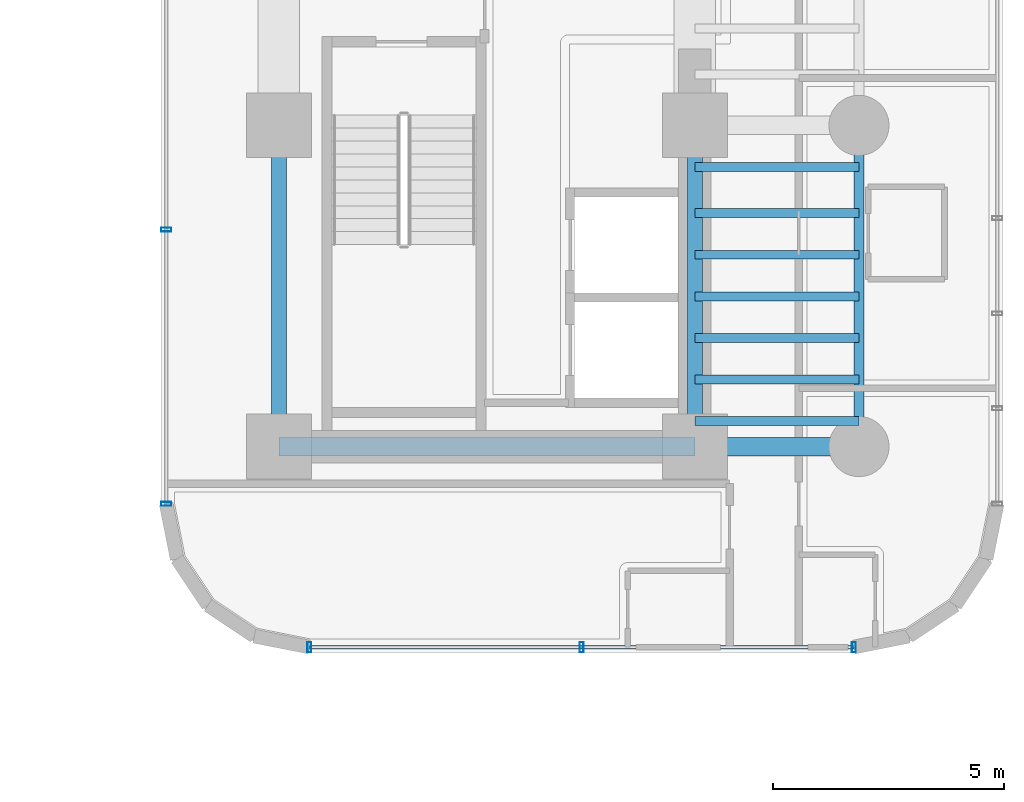
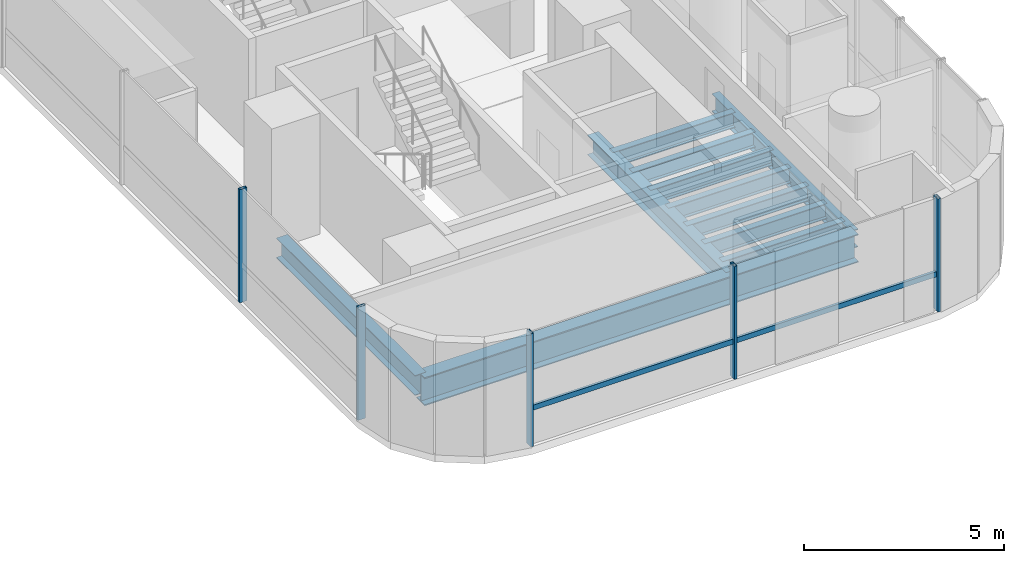
# One storey, part 13 of 42: 12 beams, 6 members, 2 elements without a shape of their own.
"""IFC4 building model written with IfcOpenShell, lengths in metres."""

from ifc_helpers import new_model, si_unit, direction, frame, origin, origin_2d, place, context, subcontext, project, spatial, hollow_rectangle, i_section, extrude, source, transform, mapped, material, material_profile, profile_set, type_object, element, aggregate, save


model = new_model("IFC4")

# Units and contexts
model_context = context("Model", 3, precision=1e-05, world=origin(), true_north=direction((0.0, 1.0)))
body_context = subcontext(model_context, "Body", "Model", "MODEL_VIEW")
ifc_project = project(units=[si_unit("LENGTHUNIT", "METRE"), si_unit("AREAUNIT", "SQUARE_METRE"), si_unit("VOLUMEUNIT", "CUBIC_METRE"), si_unit("PLANEANGLEUNIT", "RADIAN"), si_unit("MASSUNIT", "GRAM", prefix="KILO")], contexts=[model_context])

# Site, building, storey
site_placement = place(None, origin())
site = spatial("IfcSite", under=ifc_project, at=site_placement, CompositionType="ELEMENT")
building_placement = place(site_placement, origin())
building = spatial("IfcBuilding", under=site, at=building_placement, Name="Valdorenza Pilgrim Sanctuary Tower", CompositionType="ELEMENT")
storey_placement = place(building_placement, frame((0.0, 0.0, 29.699951171875)))
storey = spatial("IfcBuildingStorey", under=building, at=storey_placement, Name="L06", CompositionType="ELEMENT", Elevation=29.699951171875)

# Beams
ifc_material_1 = material(Name="Steel ASTM A992 Grade 50", Category="steel")
ifc_material_profile_1 = material_profile(ifc_material_1, i_section(OverallWidth=0.323974609375, OverallDepth=0.611083984375, WebThickness=0.0126953125, FlangeThickness=0.01904296875, at=origin_2d()), Name="W24X104")
ifc_profile_set_1 = profile_set([ifc_material_profile_1], Name="Steel ASTM A992 Grade 50")
beam_type_1 = type_object("IfcBeamType", Name="STR-BM-GRD-W24B", PredefinedType="BEAM", material=ifc_profile_set_1)
shared_shape_1 = source(origin(), body_context, "Body", "SweptSolid", [
    extrude(i_section(OverallWidth=0.323974609375, OverallDepth=0.611083984375, WebThickness=0.0126953125, FlangeThickness=0.01904296875, at=origin_2d()), origin(), (0.0, 0.0, 1.0), 6.949951171875),
])
for number, where, z_axis, x_axis, name in (
    (1, (15.85009765625, -9.550048828125, -0.54541015625), (0.0, 1.0, 0.0), (-1.0, 0.0, 0.0), "L06 Core Tie Girder CB-W-S1M0"),
    (2, (24.85009765625, -9.550048828125, -0.54541015625), (0.0, 1.0, 0.0), (-1.0, 0.0, 0.0), "L06 Core Tie Girder CB-E-S1M0"),
):
    element("IfcBeam", number, at=place(storey_placement, frame(where, z_axis=z_axis, x_axis=x_axis)), inside=storey, type_object=beam_type_1, Name=name, PredefinedType="BEAM", context=body_context, shape_type="MappedRepresentation", body=[
        mapped(shared_shape_1, transform((0.0, 0.0, 0.0), x_axis=(1.0, 0.0, 0.0), y_axis=(0.0, 1.0, 0.0), z_axis=(0.0, 0.0, 1.0), scale=1.0)),
    ])
ifc_material_profile_2 = material_profile(ifc_material_1, i_section(OverallWidth=0.214111328125, OverallDepth=0.549072265625, WebThickness=0.0146484375, FlangeThickness=0.023681640625, at=origin_2d()), Name="W21X93")
ifc_profile_set_2 = profile_set([ifc_material_profile_2], Name="Steel ASTM A992 Grade 50")
beam_type_2 = type_object("IfcBeamType", Name="STR-BM-SPN-W21A", PredefinedType="SPANDREL", material=ifc_profile_set_2)
shared_shape_2 = source(origin(), body_context, "Body", "SweptSolid", [
    extrude(i_section(OverallWidth=0.214111328125, OverallDepth=0.549072265625, WebThickness=0.0146484375, FlangeThickness=0.023681640625, at=origin_2d()), origin(), (0.0, 0.0, 1.0), 6.949951171875),
])
beam_1_placement = place(storey_placement, frame((28.39990234375, -9.550048828125, -0.514404296875), z_axis=(0.0, 1.0, 0.0), x_axis=(-1.0, 0.0, 0.0)))
element("IfcBeam", 3, at=beam_1_placement, inside=storey, type_object=beam_type_2, Name="L06 Spandrel Beam WB-E-S1M0", PredefinedType="SPANDREL", context=body_context, shape_type="MappedRepresentation", body=[
    mapped(shared_shape_2, transform((0.0, 0.0, 0.0), x_axis=(1.0, 0.0, 0.0), y_axis=(0.0, 1.0, 0.0), z_axis=(0.0, 0.0, 1.0), scale=1.0)),
])
ifc_material_profile_3 = material_profile(ifc_material_1, i_section(OverallWidth=0.193115234375, OverallDepth=0.466064453125, WebThickness=0.011474609375, FlangeThickness=0.01904296875, at=origin_2d()), Name="W18X65")
ifc_profile_set_3 = profile_set([ifc_material_profile_3], Name="Steel ASTM A992 Grade 50")
beam_type_3 = type_object("IfcBeamType", Name="STR-BM-JST-W18A", PredefinedType="JOIST", material=ifc_profile_set_3)
shared_shape_3 = source(origin(), body_context, "Body", "SweptSolid", [
    extrude(i_section(OverallWidth=0.193115234375, OverallDepth=0.466064453125, WebThickness=0.011474609375, FlangeThickness=0.01904296875, at=origin_2d()), origin(), (0.0, 0.0, 1.0), 3.5498046875),
])
for number, where, z_axis, x_axis, name in (
    (4, (24.85009765625, -9.0, -0.472900390625), (1.0, 0.0, 0.0), (0.0, 1.0, 0.0), "L06 Composite Floor Joist JST-WB-1"),
    (5, (24.85009765625, -8.10009765625, -0.472900390625), (1.0, 0.0, 0.0), (0.0, 1.0, 0.0), "L06 Composite Floor Joist JST-WB-2"),
    (6, (24.85009765625, -7.199951171875, -0.472900390625), (1.0, 0.0, 0.0), (0.0, 1.0, 0.0), "L06 Composite Floor Joist JST-WB-3"),
    (7, (24.85009765625, -6.300048828125, -0.472900390625), (1.0, 0.0, 0.0), (0.0, 1.0, 0.0), "L06 Composite Floor Joist JST-WB-4"),
    (8, (24.85009765625, -5.39990234375, -0.472900390625), (1.0, 0.0, 0.0), (0.0, 1.0, 0.0), "L06 Composite Floor Joist JST-WB-5"),
    (9, (24.85009765625, -4.5, -0.472900390625), (1.0, 0.0, 0.0), (0.0, 1.0, 0.0), "L06 Composite Floor Joist JST-WB-6"),
    (10, (24.85009765625, -3.5, -0.472900390625), (1.0, 0.0, 0.0), (0.0, 1.0, 0.0), "L06 Composite Floor Joist JST-WB-7"),
):
    element("IfcBeam", number, at=place(storey_placement, frame(where, z_axis=z_axis, x_axis=x_axis)), inside=storey, type_object=beam_type_3, Name=name, PredefinedType="JOIST", context=body_context, shape_type="MappedRepresentation", body=[
        mapped(shared_shape_3, transform((0.0, 0.0, 0.0), x_axis=(1.0, 0.0, 0.0), y_axis=(0.0, 1.0, 0.0), z_axis=(0.0, 0.0, 1.0), scale=1.0)),
    ])
ifc_material_profile_4 = material_profile(ifc_material_1, i_section(OverallWidth=0.39990234375, OverallDepth=0.862060546875, WebThickness=0.019775390625, FlangeThickness=0.032470703125, at=origin_2d()), Name="W33X221")
ifc_profile_set_4 = profile_set([ifc_material_profile_4], Name="Steel ASTM A992 Grade 50")
beam_type_4 = type_object("IfcBeamType", Name="STR-BM-GRD-W33", PredefinedType="BEAM", material=ifc_profile_set_4)
shared_shape_4 = source(origin(), body_context, "Body", "SweptSolid", [
    extrude(i_section(OverallWidth=0.39990234375, OverallDepth=0.862060546875, WebThickness=0.019775390625, FlangeThickness=0.032470703125, at=origin_2d()), origin(), (0.0, 0.0, 1.0), 9.0),
])
beam_2_placement = place(storey_placement, frame((15.85009765625, -9.550048828125, -0.6708984375), z_axis=(1.0, 0.0, 0.0), x_axis=(0.0, 1.0, 0.0)))
element("IfcBeam", 11, at=beam_2_placement, inside=storey, type_object=beam_type_4, Name="L06 Floor Girder CB-XC-S1", PredefinedType="BEAM", context=body_context, shape_type="MappedRepresentation", body=[
    mapped(shared_shape_4, transform((0.0, 0.0, 0.0), x_axis=(1.0, 0.0, 0.0), y_axis=(0.0, 1.0, 0.0), z_axis=(0.0, 0.0, 1.0), scale=1.0)),
])
shared_shape_5 = source(origin(), body_context, "Body", "SweptSolid", [
    extrude(i_section(OverallWidth=0.39990234375, OverallDepth=0.862060546875, WebThickness=0.019775390625, FlangeThickness=0.032470703125, at=origin_2d()), origin(), (0.0, 0.0, 1.0), 3.5498046875),
])
beam_3_placement = place(storey_placement, frame((24.85009765625, -9.550048828125, -0.6708984375), z_axis=(1.0, 0.0, 0.0), x_axis=(0.0, 1.0, 0.0)))
element("IfcBeam", 12, at=beam_3_placement, inside=storey, type_object=beam_type_4, Name="L06 Floor Girder WB-XE-S1", PredefinedType="BEAM", context=body_context, shape_type="MappedRepresentation", body=[
    mapped(shared_shape_5, transform((0.0, 0.0, 0.0), x_axis=(1.0, 0.0, 0.0), y_axis=(0.0, 1.0, 0.0), z_axis=(0.0, 0.0, 1.0), scale=1.0)),
])

# Curtain wall, members
ifc_material_2 = material(Name="Curtain-wall IGU glazing", Category="glass")
curtain_wall_type = type_object("IfcCurtainWallType", Name="CW-SYS-03", PredefinedType="NOTDEFINED", material=ifc_material_2)
curtain_wall_1_placement = place(storey_placement, origin())
curtain_wall_1 = element("IfcCurtainWall", 13, at=curtain_wall_1_placement, inside=storey, type_object=curtain_wall_type, Name="L06 Curtain Wall CW-L06-1-26", PredefinedType="NOTDEFINED")
ifc_material_3 = material(Name="Anodised aluminium AW-6060", Category="aluminium")
ifc_material_profile_5 = material_profile(ifc_material_3, hollow_rectangle(XDim=0.0849609375, YDim=0.219970703125, WallThickness=0.0048828125, at=origin_2d()), Name="ALU-M 220x85x5")
ifc_profile_set_5 = profile_set([ifc_material_profile_5], Name="Anodised aluminium AW-6060")
member_type_1 = type_object("IfcMemberType", Name="CW-MUL-03", PredefinedType="MULLION", material=ifc_profile_set_5)
shared_shape_6 = source(origin(), body_context, "Body", "SweptSolid", [
    extrude(hollow_rectangle(XDim=0.0849609375, YDim=0.219970703125, WallThickness=0.0048828125, at=origin_2d()), origin(), (0.0, 0.0, 1.0), 3.4599609375),
])
member_1_placement = place(storey_placement, frame((28.289306640625, -13.889892578125, 0.0), z_axis=(0.0, 0.0, 1.0), x_axis=(-1.0, 0.0, 0.0)))
member_1 = element("IfcMember", 14, at=member_1_placement, type_object=member_type_1, Name="CW-L06-1-26 Mullion 1", PredefinedType="MULLION", context=body_context, shape_type="MappedRepresentation", body=[
    mapped(shared_shape_6, transform((0.0, 0.0, 0.0), x_axis=(1.0, 0.0, 0.0), y_axis=(0.0, 1.0, 0.0), z_axis=(0.0, 0.0, 1.0), scale=1.0)),
])
member_2_placement = place(storey_placement, frame((22.39990234375, -13.889892578125, 0.0), z_axis=(0.0, 0.0, 1.0), x_axis=(-1.0, 0.0, 0.0)))
member_2 = element("IfcMember", 15, at=member_2_placement, type_object=member_type_1, Name="CW-L06-1-26 Mullion 2", PredefinedType="MULLION", context=body_context, shape_type="MappedRepresentation", body=[
    mapped(shared_shape_6, transform((0.0, 0.0, 0.0), x_axis=(1.0, 0.0, 0.0), y_axis=(0.0, 1.0, 0.0), z_axis=(0.0, 0.0, 1.0), scale=1.0)),
])
member_3_placement = place(storey_placement, frame((16.5107421875, -13.889892578125, 0.0), z_axis=(0.0, 0.0, 1.0), x_axis=(-1.0, 0.0, 0.0)))
member_3 = element("IfcMember", 16, at=member_3_placement, type_object=member_type_1, Name="CW-L06-1-26 Mullion 3", PredefinedType="MULLION", context=body_context, shape_type="MappedRepresentation", body=[
    mapped(shared_shape_6, transform((0.0, 0.0, 0.0), x_axis=(1.0, 0.0, 0.0), y_axis=(0.0, 1.0, 0.0), z_axis=(0.0, 0.0, 1.0), scale=1.0)),
])

curtain_wall_2_placement = place(storey_placement, origin())
curtain_wall_2 = element("IfcCurtainWall", 17, at=curtain_wall_2_placement, inside=storey, type_object=curtain_wall_type, Name="L06 Curtain Wall CW-L06-1-31", PredefinedType="NOTDEFINED")
member_4_placement = place(storey_placement, frame((13.409912109375, -10.789306640625, 0.0), z_axis=(0.0, 0.0, 1.0), x_axis=(0.0, 1.0, 0.0)))
member_4 = element("IfcMember", 18, at=member_4_placement, type_object=member_type_1, Name="CW-L06-1-31 Mullion 1", PredefinedType="MULLION", context=body_context, shape_type="MappedRepresentation", body=[
    mapped(shared_shape_6, transform((0.0, 0.0, 0.0), x_axis=(1.0, 0.0, 0.0), y_axis=(0.0, 1.0, 0.0), z_axis=(0.0, 0.0, 1.0), scale=1.0)),
])
member_5_placement = place(storey_placement, frame((13.409912109375, -4.85595703125, 0.0), z_axis=(0.0, 0.0, 1.0), x_axis=(0.0, 1.0, 0.0)))
member_5 = element("IfcMember", 19, at=member_5_placement, type_object=member_type_1, Name="CW-L06-1-31 Mullion 2", PredefinedType="MULLION", context=body_context, shape_type="MappedRepresentation", body=[
    mapped(shared_shape_6, transform((0.0, 0.0, 0.0), x_axis=(1.0, 0.0, 0.0), y_axis=(0.0, 1.0, 0.0), z_axis=(0.0, 0.0, 1.0), scale=1.0)),
])
aggregate(curtain_wall_2, [member_4, member_5])

# Member
ifc_material_profile_6 = material_profile(ifc_material_3, hollow_rectangle(XDim=0.074951171875, YDim=0.159912109375, WallThickness=0.00390625, at=origin_2d()), Name="ALU-T 160x75x4")
ifc_profile_set_6 = profile_set([ifc_material_profile_6], Name="Anodised aluminium AW-6060")
member_type_2 = type_object("IfcMemberType", Name="CW-TRN-03", PredefinedType="USERDEFINED", material=ifc_profile_set_6)
shared_shape_7 = source(origin(), body_context, "Body", "SweptSolid", [
    extrude(hollow_rectangle(XDim=0.074951171875, YDim=0.159912109375, WallThickness=0.00390625, at=origin_2d()), origin(), (0.0, 0.0, 1.0), 11.778564453125),
])
member_6_placement = place(storey_placement, frame((28.289306640625, -13.889892578125, 1.1201171875), z_axis=(-1.0, 0.0, 0.0), x_axis=(0.0, -1.0, 0.0)))
member_6 = element("IfcMember", 20, at=member_6_placement, type_object=member_type_2, Name="CW-L06-1-26 Transom 1", ObjectType="TRANSOM", PredefinedType="USERDEFINED", context=body_context, shape_type="MappedRepresentation", body=[
    mapped(shared_shape_7, transform((0.0, 0.0, 0.0), x_axis=(1.0, 0.0, 0.0), y_axis=(0.0, 1.0, 0.0), z_axis=(0.0, 0.0, 1.0), scale=1.0)),
])

aggregate(curtain_wall_1, [member_1, member_2, member_3, member_6])

save(model, "model.ifc")
